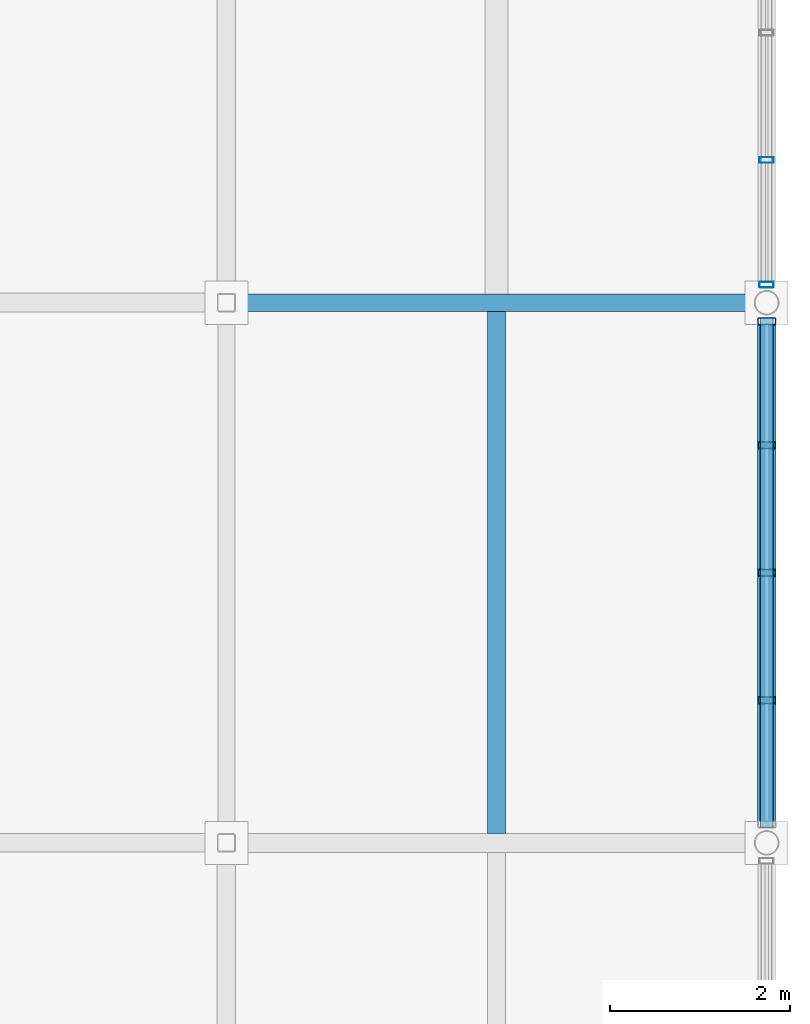
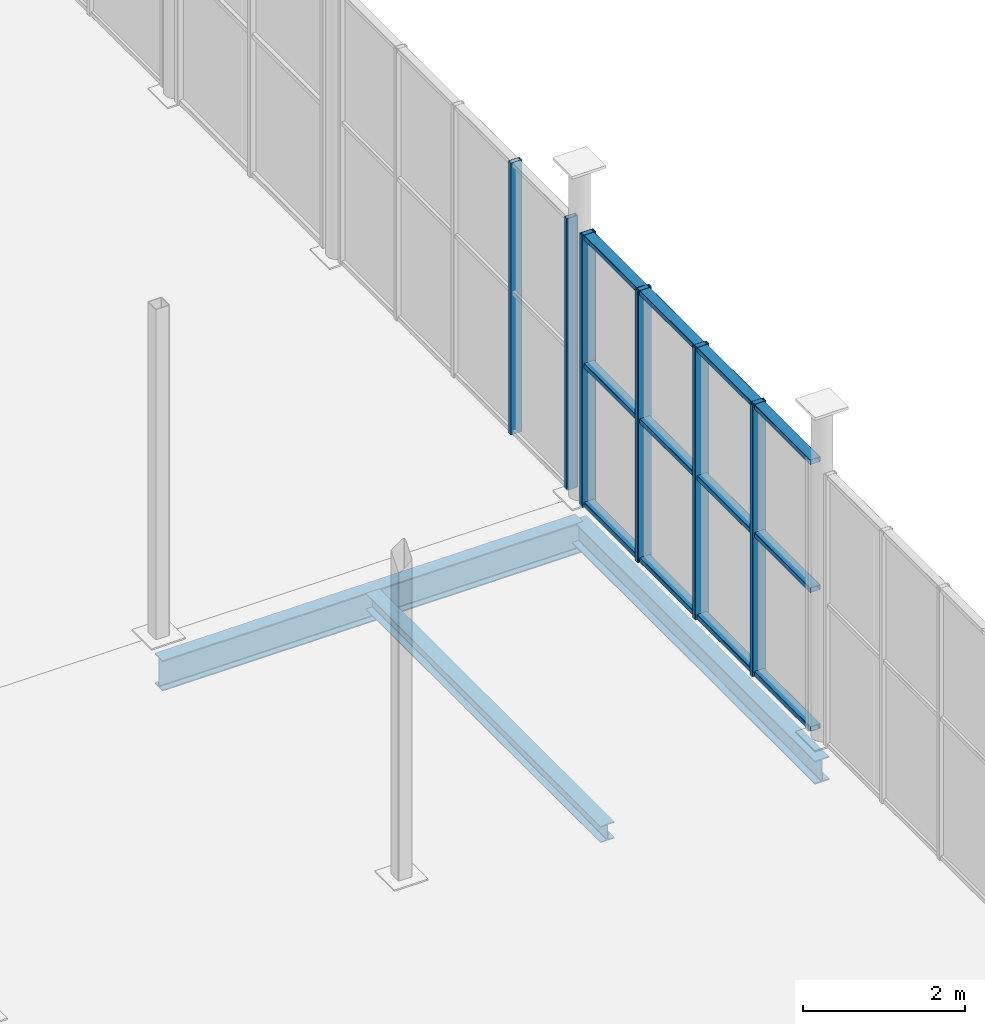
# One storey, part 14 of 27: 9 members, 3 beams, 2 elements without a shape of their own.
"""IFC4 building model written with IfcOpenShell, lengths in metres."""

from ifc_helpers import new_model, si_unit, direction, frame, origin, origin_2d, place, context, subcontext, project, spatial, hollow_rectangle, i_section, extrude, material, material_profile, profile_set, type_object, element, aggregate, save


model = new_model("IFC4")

# Units and contexts
model_context = context("Model", 3, precision=1e-05, world=origin(), true_north=direction((0.0, 1.0)))
body_context = subcontext(model_context, "Body", "Model", "MODEL_VIEW")
ifc_project = project(units=[si_unit("LENGTHUNIT", "METRE"), si_unit("AREAUNIT", "SQUARE_METRE"), si_unit("VOLUMEUNIT", "CUBIC_METRE"), si_unit("PLANEANGLEUNIT", "RADIAN"), si_unit("MASSUNIT", "GRAM", prefix="KILO")], contexts=[model_context])

# Site, building, storey
site_placement = place(None, origin())
site = spatial("IfcSite", under=ifc_project, at=site_placement, CompositionType="ELEMENT")
building_placement = place(site_placement, origin())
building = spatial("IfcBuilding", under=site, at=building_placement, Name="Verrall Gate Interchange", CompositionType="ELEMENT")
storey_placement = place(building_placement, frame((0.0, 0.0, 23.60009765625)))
storey = spatial("IfcBuildingStorey", under=building, at=storey_placement, Name="L06", CompositionType="ELEMENT", Elevation=23.60009765625)

# Beams
ifc_material_1 = material(Name="Structural Steel CSA G40.21 350W", Category="steel")
ifc_material_profile_1 = material_profile(ifc_material_1, i_section(OverallWidth=0.19189453125, OverallDepth=0.462890625, WebThickness=0.010498046875, FlangeThickness=0.017578125, FilletRadius=0.012939453125, at=origin_2d()), Name="W460x89")
ifc_profile_set_1 = profile_set([ifc_material_profile_1], Name="Structural Steel CSA G40.21 350W")
beam_type_1 = type_object("IfcBeamType", Name="B-11 Structural Beam W460x89", PredefinedType="BEAM", material=ifc_profile_set_1)
beam_1_placement = place(storey_placement, frame((30.0, 34.0, -0.5615234375), z_axis=(1.0, 0.0, 0.0), x_axis=(0.0, 1.0, 0.0)))
element("IfcBeam", 1, at=beam_1_placement, inside=storey, type_object=beam_type_1, Name="L06 Girder BM-L06-3084 (B-11)", PredefinedType="BEAM", context=body_context, shape_type="SweptSolid", body=[
    extrude(i_section(OverallWidth=0.19189453125, OverallDepth=0.462890625, WebThickness=0.010498046875, FlangeThickness=0.017578125, FilletRadius=0.012939453125, at=origin_2d()), origin(), (0.0, 0.0, 1.0), 6.0),
])
ifc_material_2 = material(Name="Structural Steel CSA G40.21 350W", Category="steel")
ifc_material_profile_2 = material_profile(ifc_material_2, i_section(OverallWidth=0.205078125, OverallDepth=0.35400390625, WebThickness=0.009521484375, FlangeThickness=0.016845703125, FilletRadius=0.012939453125, at=origin_2d()), Name="W360x79")
ifc_profile_set_2 = profile_set([ifc_material_profile_2], Name="Structural Steel CSA G40.21 350W")
beam_type_2 = type_object("IfcBeamType", Name="B-14 Structural Beam W360x79", PredefinedType="BEAM", material=ifc_profile_set_2)
beam_2_placement = place(storey_placement, frame((36.0, 28.0, -0.507080078125), z_axis=(0.0, 1.0, 0.0), x_axis=(-1.0, 0.0, 0.0)))
element("IfcBeam", 2, at=beam_2_placement, inside=storey, type_object=beam_type_2, Name="L06 Girder BM-L06-3178 (B-14)", PredefinedType="BEAM", context=body_context, shape_type="SweptSolid", body=[
    extrude(i_section(OverallWidth=0.205078125, OverallDepth=0.35400390625, WebThickness=0.009521484375, FlangeThickness=0.016845703125, FilletRadius=0.012939453125, at=origin_2d()), origin(), (0.0, 0.0, 1.0), 6.0),
])

# Curtain wall, members
ifc_material_3 = material(Name="Thermally Broken Anodized Aluminium Curtain Wall Framing", Category="aluminium")
curtain_wall_type = type_object("IfcCurtainWallType", Name="CW-45 Unitized Curtain Wall 5698x4100", PredefinedType="NOTDEFINED", material=ifc_material_3)
curtain_wall_1_placement = place(storey_placement, origin())
curtain_wall_1 = element("IfcCurtainWall", 3, at=curtain_wall_1_placement, inside=storey, type_object=curtain_wall_type, Name="L06 Unitized Curtain Wall CW-L06-148", PredefinedType="NOTDEFINED")
ifc_material_4 = material(Name="Thermally Broken Anodized Aluminium Curtain Wall Framing", Category="aluminium")
ifc_material_profile_3 = material_profile(ifc_material_4, hollow_rectangle(XDim=0.06494140625, YDim=0.159912109375, WallThickness=0.00390625, InnerFilletRadius=0.00390625, OuterFilletRadius=0.008056640625, at=origin_2d()), Name="CWM160x65x4")
ifc_profile_set_3 = profile_set([ifc_material_profile_3], Name="Thermally Broken Anodized Aluminium Curtain Wall Framing")
member_type_1 = type_object("IfcMemberType", Name="CM-01 Curtain Mullion CWM160x65x4", PredefinedType="MULLION", material=ifc_profile_set_3)
member_1_placement = place(storey_placement, frame((36.0, 34.201171875, 0.0), z_axis=(0.0, 0.0, 1.0), x_axis=(0.0, 1.0, 0.0)))
member_1 = element("IfcMember", 4, at=member_1_placement, type_object=member_type_1, Name="CW-L06-148 Mullion 1", PredefinedType="MULLION", context=body_context, shape_type="SweptSolid", body=[
    extrude(hollow_rectangle(XDim=0.06494140625, YDim=0.159912109375, WallThickness=0.00390625, InnerFilletRadius=0.00390625, OuterFilletRadius=0.008056640625, at=origin_2d()), origin(), (0.0, 0.0, 1.0), 4.099853515625),
])
member_2_placement = place(storey_placement, frame((36.0, 35.584228515625, 0.0), z_axis=(0.0, 0.0, 1.0), x_axis=(0.0, 1.0, 0.0)))
member_2 = element("IfcMember", 5, at=member_2_placement, type_object=member_type_1, Name="CW-L06-148 Mullion 2", PredefinedType="MULLION", context=body_context, shape_type="SweptSolid", body=[
    extrude(hollow_rectangle(XDim=0.06494140625, YDim=0.159912109375, WallThickness=0.00390625, InnerFilletRadius=0.00390625, OuterFilletRadius=0.008056640625, at=origin_2d()), origin(), (0.0, 0.0, 1.0), 4.099853515625),
])
aggregate(curtain_wall_1, [member_1, member_2])

curtain_wall_2_placement = place(storey_placement, origin())
curtain_wall_2 = element("IfcCurtainWall", 6, at=curtain_wall_2_placement, inside=storey, type_object=curtain_wall_type, Name="L06 Unitized Curtain Wall CW-L06-147", PredefinedType="NOTDEFINED")
ifc_material_5 = material(Name="Thermally Broken Anodized Aluminium Curtain Wall Framing", Category="aluminium")
ifc_material_profile_4 = material_profile(ifc_material_5, hollow_rectangle(XDim=0.074951171875, YDim=0.199951171875, WallThickness=0.0048828125, InnerFilletRadius=0.0048828125, OuterFilletRadius=0.010009765625, at=origin_2d()), Name="CWM200x75x5")
ifc_profile_set_4 = profile_set([ifc_material_profile_4], Name="Thermally Broken Anodized Aluminium Curtain Wall Framing")
member_type_2 = type_object("IfcMemberType", Name="CM-02 Curtain Mullion CWM200x75x5", PredefinedType="MULLION", material=ifc_profile_set_4)
member_3_placement = place(storey_placement, frame((36.0, 29.584228515625, 0.0), z_axis=(0.0, 0.0, 1.0), x_axis=(0.0, 1.0, 0.0)))
member_3 = element("IfcMember", 7, at=member_3_placement, type_object=member_type_2, Name="CW-L06-147 Mullion 2", PredefinedType="MULLION", context=body_context, shape_type="SweptSolid", body=[
    extrude(hollow_rectangle(XDim=0.074951171875, YDim=0.199951171875, WallThickness=0.0048828125, InnerFilletRadius=0.0048828125, OuterFilletRadius=0.010009765625, at=origin_2d()), origin(), (0.0, 0.0, 1.0), 4.099853515625),
])
member_4_placement = place(storey_placement, frame((36.0, 31.0, 0.0), z_axis=(0.0, 0.0, 1.0), x_axis=(0.0, 1.0, 0.0)))
member_4 = element("IfcMember", 8, at=member_4_placement, type_object=member_type_2, Name="CW-L06-147 Mullion 3", PredefinedType="MULLION", context=body_context, shape_type="SweptSolid", body=[
    extrude(hollow_rectangle(XDim=0.074951171875, YDim=0.199951171875, WallThickness=0.0048828125, InnerFilletRadius=0.0048828125, OuterFilletRadius=0.010009765625, at=origin_2d()), origin(), (0.0, 0.0, 1.0), 4.099853515625),
])
member_5_placement = place(storey_placement, frame((36.0, 32.415771484375, 0.0), z_axis=(0.0, 0.0, 1.0), x_axis=(0.0, 1.0, 0.0)))
member_5 = element("IfcMember", 9, at=member_5_placement, type_object=member_type_2, Name="CW-L06-147 Mullion 4", PredefinedType="MULLION", context=body_context, shape_type="SweptSolid", body=[
    extrude(hollow_rectangle(XDim=0.074951171875, YDim=0.199951171875, WallThickness=0.0048828125, InnerFilletRadius=0.0048828125, OuterFilletRadius=0.010009765625, at=origin_2d()), origin(), (0.0, 0.0, 1.0), 4.099853515625),
])
member_6_placement = place(storey_placement, frame((36.0, 33.7939453125, 0.0), z_axis=(0.0, 0.0, 1.0), x_axis=(0.0, 1.0, 0.0)))
member_6 = element("IfcMember", 10, at=member_6_placement, type_object=member_type_2, Name="CW-L06-147 Mullion 5", PredefinedType="MULLION", context=body_context, shape_type="SweptSolid", body=[
    extrude(hollow_rectangle(XDim=0.074951171875, YDim=0.199951171875, WallThickness=0.0048828125, InnerFilletRadius=0.0048828125, OuterFilletRadius=0.010009765625, at=origin_2d()), origin(), (0.0, 0.0, 1.0), 4.099853515625),
])
ifc_material_6 = material(Name="Thermally Broken Anodized Aluminium Curtain Wall Framing", Category="aluminium")
ifc_material_profile_5 = material_profile(ifc_material_6, hollow_rectangle(XDim=0.14990234375, YDim=0.074951171875, WallThickness=0.00439453125, InnerFilletRadius=0.00439453125, OuterFilletRadius=0.009033203125, at=origin_2d()), Name="CWT150x75x4.5")
ifc_profile_set_5 = profile_set([ifc_material_profile_5], Name="Thermally Broken Anodized Aluminium Curtain Wall Framing")
member_type_3 = type_object("IfcMemberType", Name="CT-02 Curtain Transom CWT150x75x4.5", PredefinedType="USERDEFINED", material=ifc_profile_set_5)
member_7_placement = place(storey_placement, frame((36.0, 28.168701171875, 0.037353515625), z_axis=(0.0, 1.0, 0.0), x_axis=(-1.0, 0.0, 0.0)))
member_7 = element("IfcMember", 11, at=member_7_placement, type_object=member_type_3, Name="CW-L06-147 Transom 1", ObjectType="TRANSOM", PredefinedType="USERDEFINED", context=body_context, shape_type="SweptSolid", body=[
    extrude(hollow_rectangle(XDim=0.14990234375, YDim=0.074951171875, WallThickness=0.00439453125, InnerFilletRadius=0.00439453125, OuterFilletRadius=0.009033203125, at=origin_2d()), origin(), (0.0, 0.0, 1.0), 5.66259765625),
])
member_8_placement = place(storey_placement, frame((36.0, 28.168701171875, 2.1318359375), z_axis=(0.0, 1.0, 0.0), x_axis=(-1.0, 0.0, 0.0)))
member_8 = element("IfcMember", 12, at=member_8_placement, type_object=member_type_3, Name="CW-L06-147 Transom 2", ObjectType="TRANSOM", PredefinedType="USERDEFINED", context=body_context, shape_type="SweptSolid", body=[
    extrude(hollow_rectangle(XDim=0.14990234375, YDim=0.074951171875, WallThickness=0.00439453125, InnerFilletRadius=0.00439453125, OuterFilletRadius=0.009033203125, at=origin_2d()), origin(), (0.0, 0.0, 1.0), 5.66259765625),
])
member_9_placement = place(storey_placement, frame((36.0, 28.168701171875, 4.0625), z_axis=(0.0, 1.0, 0.0), x_axis=(-1.0, 0.0, 0.0)))
member_9 = element("IfcMember", 13, at=member_9_placement, type_object=member_type_3, Name="CW-L06-147 Transom 3", ObjectType="TRANSOM", PredefinedType="USERDEFINED", context=body_context, shape_type="SweptSolid", body=[
    extrude(hollow_rectangle(XDim=0.14990234375, YDim=0.074951171875, WallThickness=0.00439453125, InnerFilletRadius=0.00439453125, OuterFilletRadius=0.009033203125, at=origin_2d()), origin(), (0.0, 0.0, 1.0), 5.66259765625),
])
aggregate(curtain_wall_2, [member_3, member_4, member_5, member_6, member_7, member_8, member_9])

# Beam
ifc_material_7 = material(Name="Structural Steel CSA G40.21 350W", Category="steel")
ifc_material_profile_6 = material_profile(ifc_material_7, i_section(OverallWidth=0.201904296875, OverallDepth=0.2470703125, WebThickness=0.00732421875, FlangeThickness=0.010986328125, FilletRadius=0.010986328125, at=origin_2d()), Name="W250x49")
ifc_profile_set_6 = profile_set([ifc_material_profile_6], Name="Structural Steel CSA G40.21 350W")
beam_type_3 = type_object("IfcBeamType", Name="J-06 Floor Joist W250x49", PredefinedType="JOIST", material=ifc_profile_set_6)
beam_3_placement = place(storey_placement, frame((33.0, 28.10546875, -0.45361328125), z_axis=(0.0, 1.0, 0.0), x_axis=(-1.0, 0.0, 0.0)))
element("IfcBeam", 14, at=beam_3_placement, inside=storey, type_object=beam_type_3, Name="L06 Secondary Floor Joist JST-L06-3203", PredefinedType="JOIST", context=body_context, shape_type="SweptSolid", body=[
    extrude(i_section(OverallWidth=0.201904296875, OverallDepth=0.2470703125, WebThickness=0.00732421875, FlangeThickness=0.010986328125, FilletRadius=0.010986328125, at=origin_2d()), origin(), (0.0, 0.0, 1.0), 5.798583984375),
])

save(model, "model.ifc")
